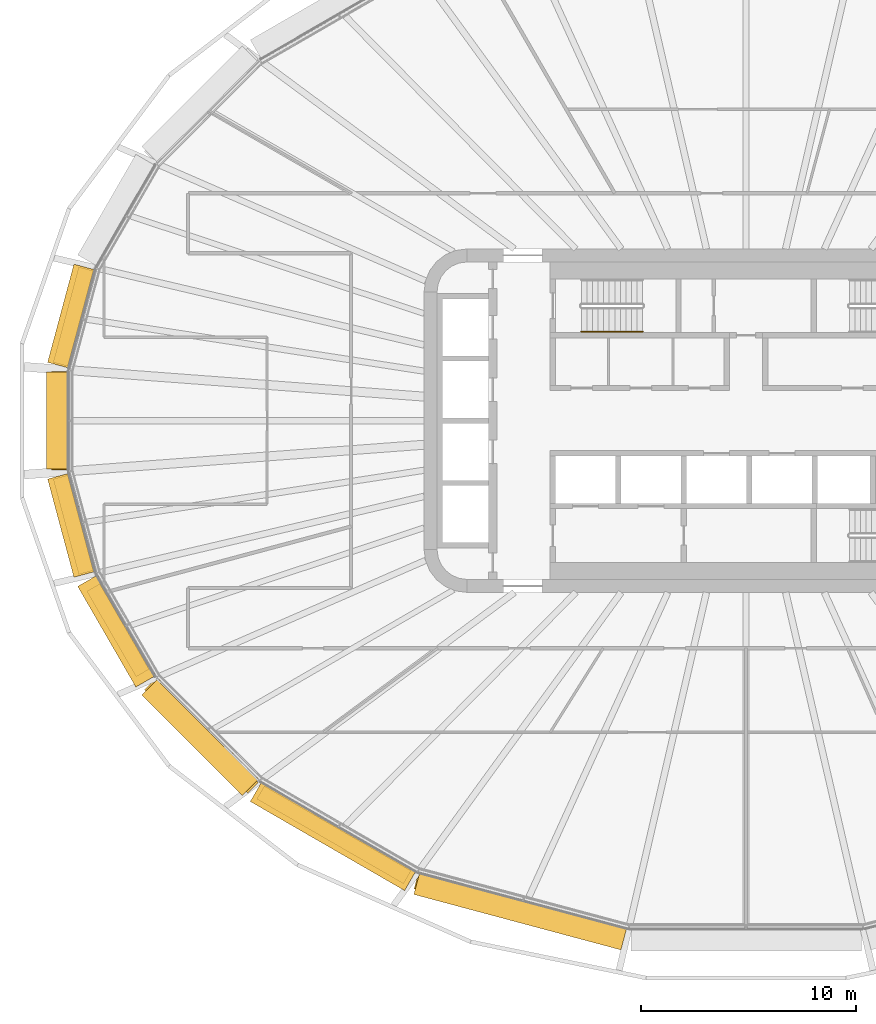
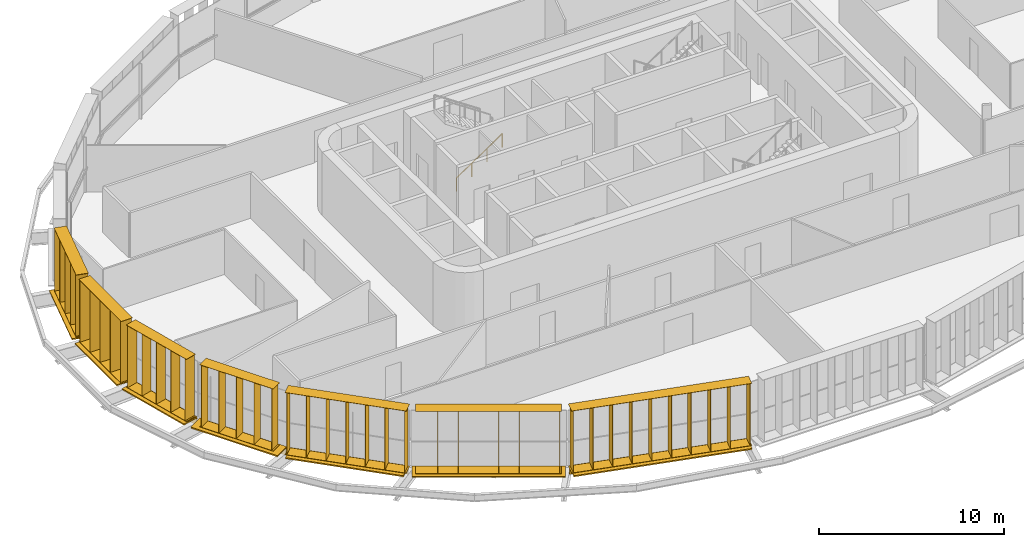
# One storey, part 20 of 25: 14 shading devices, 1 railing.
"""IFC4 building model written with IfcOpenShell, lengths in metres."""

from ifc_helpers import new_model, si_unit, direction, frame, origin, origin_2d, place, context, subcontext, project, spatial, rectangle, circle, extrude, material, type_object, element, save


model = new_model("IFC4")

# Units and contexts
model_context = context("Model", 3, precision=1e-05, world=origin(), true_north=direction((0.0, 1.0)))
body_context = subcontext(model_context, "Body", "Model", "MODEL_VIEW")
ifc_project = project(units=[si_unit("LENGTHUNIT", "METRE"), si_unit("AREAUNIT", "SQUARE_METRE"), si_unit("VOLUMEUNIT", "CUBIC_METRE"), si_unit("PLANEANGLEUNIT", "RADIAN"), si_unit("MASSUNIT", "GRAM", prefix="KILO")], contexts=[model_context])

# Site, building, storey
site_placement = place(None, origin())
site = spatial("IfcSite", under=ifc_project, at=site_placement, CompositionType="ELEMENT")
building_placement = place(site_placement, origin())
building = spatial("IfcBuilding", under=site, at=building_placement, Name="Sahrelin Media Tower", CompositionType="ELEMENT")
storey_placement = place(building_placement, frame((0.0, 0.0, 139.800048828125)))
storey = spatial("IfcBuildingStorey", under=building, at=storey_placement, Name="L28", CompositionType="ELEMENT", Elevation=139.800048828125)

# Shading devices
ifc_material_1 = material(Name="Champagne anodised aluminium 6063-T6", Category="aluminium")
shading_device_type_1 = type_object("IfcShadingDeviceType", Name="Fin cassette", PredefinedType="USERDEFINED", material=ifc_material_1)
placement_1 = place(storey_placement, frame((-30.940185546875, 4.7412109375, 0.0), z_axis=(0.0, 0.0, 1.0), x_axis=(0.258807731996, 0.965928857556, 0.0)))
element("IfcShadingDevice", 1, at=placement_1, inside=storey, type_object=shading_device_type_1, Name="L28:FIN:L28-11", ObjectType="FIN", PredefinedType="USERDEFINED", context=body_context, shape_type="SweptSolid", body=[
    extrude(rectangle(XDim=4.60009765625, YDim=0.699951171875, at=origin_2d()), frame((0.0, 0.419921875, 0.0)), (0.0, 0.0, 1.0), 0.02001953125),
    extrude(rectangle(XDim=4.60009765625, YDim=0.699951171875, at=origin_2d()), frame((0.0, 0.419921875, 4.10009765625)), (0.0, 0.0, 1.0), 0.02001953125),
    extrude(rectangle(XDim=0.02001953125, YDim=0.699951171875, at=origin_2d()), frame((-2.199951171875, 0.419921875, 0.010009765625), z_axis=(0.0, 0.0, 1.0), x_axis=(1.0, 0.0, 0.0)), (0.0, 0.0, 1.0), 4.10009765625),
    extrude(rectangle(XDim=0.02001953125, YDim=0.699951171875, at=origin_2d()), frame((-1.10009765625, 0.419921875, 0.010009765625), z_axis=(0.0, 0.0, 1.0), x_axis=(1.0, 0.0, 0.0)), (0.0, 0.0, 1.0), 4.10009765625),
    extrude(rectangle(XDim=0.02001953125, YDim=0.699951171875, at=origin_2d()), frame((0.0, 0.419921875, 0.010009765625), z_axis=(0.0, 0.0, 1.0), x_axis=(1.0, 0.0, 0.0)), (0.0, 0.0, 1.0), 4.10009765625),
    extrude(rectangle(XDim=0.02001953125, YDim=0.699951171875, at=origin_2d()), frame((1.10009765625, 0.419921875, 0.010009765625), z_axis=(0.0, 0.0, 1.0), x_axis=(1.0, 0.0, 0.0)), (0.0, 0.0, 1.0), 4.10009765625),
    extrude(rectangle(XDim=0.02001953125, YDim=0.699951171875, at=origin_2d()), frame((2.199951171875, 0.419921875, 0.010009765625), z_axis=(0.0, 0.0, 1.0), x_axis=(1.0, 0.0, 0.0)), (0.0, 0.0, 1.0), 4.10009765625),
])
placement_2 = place(storey_placement, frame((-31.57861328125, 0.0, 0.0), z_axis=(0.0, 0.0, 1.0), x_axis=(0.0, 1.0, 0.0)))
element("IfcShadingDevice", 2, at=placement_2, inside=storey, type_object=shading_device_type_1, Name="L28:FIN:L28-12", ObjectType="FIN", PredefinedType="USERDEFINED", context=body_context, shape_type="SweptSolid", body=[
    extrude(rectangle(XDim=4.60009765625, YDim=0.699951171875, at=origin_2d()), frame((0.0, 0.419921875, 0.0)), (0.0, 0.0, 1.0), 0.02001953125),
    extrude(rectangle(XDim=4.60009765625, YDim=0.699951171875, at=origin_2d()), frame((0.0, 0.419921875, 4.10009765625)), (0.0, 0.0, 1.0), 0.02001953125),
    extrude(rectangle(XDim=0.02001953125, YDim=0.699951171875, at=origin_2d()), frame((-2.199951171875, 0.419921875, 0.010009765625), z_axis=(0.0, 0.0, 1.0), x_axis=(1.0, 0.0, 0.0)), (0.0, 0.0, 1.0), 4.10009765625),
    extrude(rectangle(XDim=0.02001953125, YDim=0.699951171875, at=origin_2d()), frame((-1.10009765625, 0.419921875, 0.010009765625), z_axis=(0.0, 0.0, 1.0), x_axis=(1.0, 0.0, 0.0)), (0.0, 0.0, 1.0), 4.10009765625),
    extrude(rectangle(XDim=0.02001953125, YDim=0.699951171875, at=origin_2d()), frame((0.0, 0.419921875, 0.010009765625), z_axis=(0.0, 0.0, 1.0), x_axis=(1.0, 0.0, 0.0)), (0.0, 0.0, 1.0), 4.10009765625),
    extrude(rectangle(XDim=0.02001953125, YDim=0.699951171875, at=origin_2d()), frame((1.10009765625, 0.419921875, 0.010009765625), z_axis=(0.0, 0.0, 1.0), x_axis=(1.0, 0.0, 0.0)), (0.0, 0.0, 1.0), 4.10009765625),
    extrude(rectangle(XDim=0.02001953125, YDim=0.699951171875, at=origin_2d()), frame((2.199951171875, 0.419921875, 0.010009765625), z_axis=(0.0, 0.0, 1.0), x_axis=(1.0, 0.0, 0.0)), (0.0, 0.0, 1.0), 4.10009765625),
])
placement_3 = place(storey_placement, frame((-30.940185546875, -4.7412109375, 0.0), z_axis=(0.0, 0.0, 1.0), x_axis=(-0.258807731996, 0.965928857556, 0.0)))
element("IfcShadingDevice", 3, at=placement_3, inside=storey, type_object=shading_device_type_1, Name="L28:FIN:L28-13", ObjectType="FIN", PredefinedType="USERDEFINED", context=body_context, shape_type="SweptSolid", body=[
    extrude(rectangle(XDim=4.60009765625, YDim=0.699951171875, at=origin_2d()), frame((0.0, 0.419921875, 0.0)), (0.0, 0.0, 1.0), 0.02001953125),
    extrude(rectangle(XDim=4.60009765625, YDim=0.699951171875, at=origin_2d()), frame((0.0, 0.419921875, 4.10009765625)), (0.0, 0.0, 1.0), 0.02001953125),
    extrude(rectangle(XDim=0.02001953125, YDim=0.699951171875, at=origin_2d()), frame((-2.199951171875, 0.419921875, 0.010009765625), z_axis=(0.0, 0.0, 1.0), x_axis=(1.0, 0.0, 0.0)), (0.0, 0.0, 1.0), 4.10009765625),
    extrude(rectangle(XDim=0.02001953125, YDim=0.699951171875, at=origin_2d()), frame((-1.10009765625, 0.419921875, 0.010009765625), z_axis=(0.0, 0.0, 1.0), x_axis=(1.0, 0.0, 0.0)), (0.0, 0.0, 1.0), 4.10009765625),
    extrude(rectangle(XDim=0.02001953125, YDim=0.699951171875, at=origin_2d()), frame((0.0, 0.419921875, 0.010009765625), z_axis=(0.0, 0.0, 1.0), x_axis=(1.0, 0.0, 0.0)), (0.0, 0.0, 1.0), 4.10009765625),
    extrude(rectangle(XDim=0.02001953125, YDim=0.699951171875, at=origin_2d()), frame((1.10009765625, 0.419921875, 0.010009765625), z_axis=(0.0, 0.0, 1.0), x_axis=(1.0, 0.0, 0.0)), (0.0, 0.0, 1.0), 4.10009765625),
    extrude(rectangle(XDim=0.02001953125, YDim=0.699951171875, at=origin_2d()), frame((2.199951171875, 0.419921875, 0.010009765625), z_axis=(0.0, 0.0, 1.0), x_axis=(1.0, 0.0, 0.0)), (0.0, 0.0, 1.0), 4.10009765625),
])
placement_4 = place(storey_placement, frame((-28.8984375, -9.5546875, 0.0), z_axis=(0.0, 0.0, 1.0), x_axis=(-0.500011000363, 0.866019052629, 0.0)))
element("IfcShadingDevice", 4, at=placement_4, inside=storey, type_object=shading_device_type_1, Name="L28:FIN:L28-14", ObjectType="FIN", PredefinedType="USERDEFINED", context=body_context, shape_type="SweptSolid", body=[
    extrude(rectangle(XDim=4.60009765625, YDim=0.699951171875, at=origin_2d()), frame((0.0, 0.419921875, 0.0)), (0.0, 0.0, 1.0), 0.02001953125),
    extrude(rectangle(XDim=4.60009765625, YDim=0.699951171875, at=origin_2d()), frame((0.0, 0.419921875, 4.10009765625)), (0.0, 0.0, 1.0), 0.02001953125),
    extrude(rectangle(XDim=0.02001953125, YDim=0.699951171875, at=origin_2d()), frame((-2.199951171875, 0.419921875, 0.010009765625), z_axis=(0.0, 0.0, 1.0), x_axis=(1.0, 0.0, 0.0)), (0.0, 0.0, 1.0), 4.10009765625),
    extrude(rectangle(XDim=0.02001953125, YDim=0.699951171875, at=origin_2d()), frame((-1.10009765625, 0.419921875, 0.010009765625), z_axis=(0.0, 0.0, 1.0), x_axis=(1.0, 0.0, 0.0)), (0.0, 0.0, 1.0), 4.10009765625),
    extrude(rectangle(XDim=0.02001953125, YDim=0.699951171875, at=origin_2d()), frame((0.0, 0.419921875, 0.010009765625), z_axis=(0.0, 0.0, 1.0), x_axis=(1.0, 0.0, 0.0)), (0.0, 0.0, 1.0), 4.10009765625),
    extrude(rectangle(XDim=0.02001953125, YDim=0.699951171875, at=origin_2d()), frame((1.10009765625, 0.419921875, 0.010009765625), z_axis=(0.0, 0.0, 1.0), x_axis=(1.0, 0.0, 0.0)), (0.0, 0.0, 1.0), 4.10009765625),
    extrude(rectangle(XDim=0.02001953125, YDim=0.699951171875, at=origin_2d()), frame((2.199951171875, 0.419921875, 0.010009765625), z_axis=(0.0, 0.0, 1.0), x_axis=(1.0, 0.0, 0.0)), (0.0, 0.0, 1.0), 4.10009765625),
])
placement_5 = place(storey_placement, frame((-25.08349609375, -14.396728515625, 0.0), z_axis=(0.0, 0.0, 1.0), x_axis=(-0.707106781187, 0.707106781187, 0.0)))
element("IfcShadingDevice", 5, at=placement_5, inside=storey, type_object=shading_device_type_1, Name="L28:FIN:L28-15", ObjectType="FIN", PredefinedType="USERDEFINED", context=body_context, shape_type="SweptSolid", body=[
    extrude(rectangle(XDim=6.800048828125, YDim=0.699951171875, at=origin_2d()), frame((0.0, 0.419921875, 0.0)), (0.0, 0.0, 1.0), 0.02001953125),
    extrude(rectangle(XDim=6.800048828125, YDim=0.699951171875, at=origin_2d()), frame((0.0, 0.419921875, 4.10009765625)), (0.0, 0.0, 1.0), 0.02001953125),
    extrude(rectangle(XDim=0.02001953125, YDim=0.699951171875, at=origin_2d()), frame((-3.300048828125, 0.419921875, 0.010009765625), z_axis=(0.0, 0.0, 1.0), x_axis=(1.0, 0.0, 0.0)), (0.0, 0.0, 1.0), 4.10009765625),
    extrude(rectangle(XDim=0.02001953125, YDim=0.699951171875, at=origin_2d()), frame((-2.199951171875, 0.419921875, 0.010009765625), z_axis=(0.0, 0.0, 1.0), x_axis=(1.0, 0.0, 0.0)), (0.0, 0.0, 1.0), 4.10009765625),
    extrude(rectangle(XDim=0.02001953125, YDim=0.699951171875, at=origin_2d()), frame((-1.10009765625, 0.419921875, 0.010009765625), z_axis=(0.0, 0.0, 1.0), x_axis=(1.0, 0.0, 0.0)), (0.0, 0.0, 1.0), 4.10009765625),
    extrude(rectangle(XDim=0.02001953125, YDim=0.699951171875, at=origin_2d()), frame((0.0, 0.419921875, 0.010009765625), z_axis=(0.0, 0.0, 1.0), x_axis=(1.0, 0.0, 0.0)), (0.0, 0.0, 1.0), 4.10009765625),
    extrude(rectangle(XDim=0.02001953125, YDim=0.699951171875, at=origin_2d()), frame((1.10009765625, 0.419921875, 0.010009765625), z_axis=(0.0, 0.0, 1.0), x_axis=(1.0, 0.0, 0.0)), (0.0, 0.0, 1.0), 4.10009765625),
    extrude(rectangle(XDim=0.02001953125, YDim=0.699951171875, at=origin_2d()), frame((2.199951171875, 0.419921875, 0.010009765625), z_axis=(0.0, 0.0, 1.0), x_axis=(1.0, 0.0, 0.0)), (0.0, 0.0, 1.0), 4.10009765625),
    extrude(rectangle(XDim=0.02001953125, YDim=0.699951171875, at=origin_2d()), frame((3.300048828125, 0.419921875, 0.010009765625), z_axis=(0.0, 0.0, 1.0), x_axis=(1.0, 0.0, 0.0)), (0.0, 0.0, 1.0), 4.10009765625),
])
placement_6 = place(storey_placement, frame((-18.990966796875, -18.93359375, 0.0), z_axis=(0.0, 0.0, 1.0), x_axis=(-0.866019052629, 0.500011000363, 0.0)))
element("IfcShadingDevice", 6, at=placement_6, inside=storey, type_object=shading_device_type_1, Name="L28:FIN:L28-16", ObjectType="FIN", PredefinedType="USERDEFINED", context=body_context, shape_type="SweptSolid", body=[
    extrude(rectangle(XDim=7.89990234375, YDim=0.699951171875, at=origin_2d()), frame((0.0, 0.419921875, 0.0)), (0.0, 0.0, 1.0), 0.02001953125),
    extrude(rectangle(XDim=7.89990234375, YDim=0.699951171875, at=origin_2d()), frame((0.0, 0.419921875, 4.10009765625)), (0.0, 0.0, 1.0), 0.02001953125),
    extrude(rectangle(XDim=0.02001953125, YDim=0.699951171875, at=origin_2d()), frame((-3.85009765625, 0.419921875, 0.010009765625), z_axis=(0.0, 0.0, 1.0), x_axis=(1.0, 0.0, 0.0)), (0.0, 0.0, 1.0), 4.10009765625),
    extrude(rectangle(XDim=0.02001953125, YDim=0.699951171875, at=origin_2d()), frame((-2.75, 0.419921875, 0.010009765625), z_axis=(0.0, 0.0, 1.0), x_axis=(1.0, 0.0, 0.0)), (0.0, 0.0, 1.0), 4.10009765625),
    extrude(rectangle(XDim=0.02001953125, YDim=0.699951171875, at=origin_2d()), frame((-1.64990234375, 0.419921875, 0.010009765625), z_axis=(0.0, 0.0, 1.0), x_axis=(1.0, 0.0, 0.0)), (0.0, 0.0, 1.0), 4.10009765625),
    extrude(rectangle(XDim=0.02001953125, YDim=0.699951171875, at=origin_2d()), frame((-0.550048828125, 0.419921875, 0.010009765625), z_axis=(0.0, 0.0, 1.0), x_axis=(1.0, 0.0, 0.0)), (0.0, 0.0, 1.0), 4.10009765625),
    extrude(rectangle(XDim=0.02001953125, YDim=0.699951171875, at=origin_2d()), frame((0.550048828125, 0.419921875, 0.010009765625), z_axis=(0.0, 0.0, 1.0), x_axis=(1.0, 0.0, 0.0)), (0.0, 0.0, 1.0), 4.10009765625),
    extrude(rectangle(XDim=0.02001953125, YDim=0.699951171875, at=origin_2d()), frame((1.64990234375, 0.419921875, 0.010009765625), z_axis=(0.0, 0.0, 1.0), x_axis=(1.0, 0.0, 0.0)), (0.0, 0.0, 1.0), 4.10009765625),
    extrude(rectangle(XDim=0.02001953125, YDim=0.699951171875, at=origin_2d()), frame((2.75, 0.419921875, 0.010009765625), z_axis=(0.0, 0.0, 1.0), x_axis=(1.0, 0.0, 0.0)), (0.0, 0.0, 1.0), 4.10009765625),
    extrude(rectangle(XDim=0.02001953125, YDim=0.699951171875, at=origin_2d()), frame((3.85009765625, 0.419921875, 0.010009765625), z_axis=(0.0, 0.0, 1.0), x_axis=(1.0, 0.0, 0.0)), (0.0, 0.0, 1.0), 4.10009765625),
])
placement_7 = place(storey_placement, frame((-10.389404296875, -22.377197265625, 0.0), z_axis=(0.0, 0.0, 1.0), x_axis=(-0.965928857556, 0.258807731996, 0.0)))
element("IfcShadingDevice", 7, at=placement_7, inside=storey, type_object=shading_device_type_1, Name="L28:FIN:L28-17", ObjectType="FIN", PredefinedType="USERDEFINED", context=body_context, shape_type="SweptSolid", body=[
    extrude(rectangle(XDim=10.10009765625, YDim=0.699951171875, at=origin_2d()), frame((0.0, 0.419921875, 0.0)), (0.0, 0.0, 1.0), 0.02001953125),
    extrude(rectangle(XDim=10.10009765625, YDim=0.699951171875, at=origin_2d()), frame((0.0, 0.419921875, 4.10009765625)), (0.0, 0.0, 1.0), 0.02001953125),
    extrude(rectangle(XDim=0.02001953125, YDim=0.699951171875, at=origin_2d()), frame((-4.949951171875, 0.419921875, 0.010009765625), z_axis=(0.0, 0.0, 1.0), x_axis=(1.0, 0.0, 0.0)), (0.0, 0.0, 1.0), 4.10009765625),
    extrude(rectangle(XDim=0.02001953125, YDim=0.699951171875, at=origin_2d()), frame((-3.85009765625, 0.419921875, 0.010009765625), z_axis=(0.0, 0.0, 1.0), x_axis=(1.0, 0.0, 0.0)), (0.0, 0.0, 1.0), 4.10009765625),
    extrude(rectangle(XDim=0.02001953125, YDim=0.699951171875, at=origin_2d()), frame((-2.75, 0.419921875, 0.010009765625), z_axis=(0.0, 0.0, 1.0), x_axis=(1.0, 0.0, 0.0)), (0.0, 0.0, 1.0), 4.10009765625),
    extrude(rectangle(XDim=0.02001953125, YDim=0.699951171875, at=origin_2d()), frame((-1.64990234375, 0.419921875, 0.010009765625), z_axis=(0.0, 0.0, 1.0), x_axis=(1.0, 0.0, 0.0)), (0.0, 0.0, 1.0), 4.10009765625),
    extrude(rectangle(XDim=0.02001953125, YDim=0.699951171875, at=origin_2d()), frame((-0.550048828125, 0.419921875, 0.010009765625), z_axis=(0.0, 0.0, 1.0), x_axis=(1.0, 0.0, 0.0)), (0.0, 0.0, 1.0), 4.10009765625),
    extrude(rectangle(XDim=0.02001953125, YDim=0.699951171875, at=origin_2d()), frame((0.550048828125, 0.419921875, 0.010009765625), z_axis=(0.0, 0.0, 1.0), x_axis=(1.0, 0.0, 0.0)), (0.0, 0.0, 1.0), 4.10009765625),
    extrude(rectangle(XDim=0.02001953125, YDim=0.699951171875, at=origin_2d()), frame((1.64990234375, 0.419921875, 0.010009765625), z_axis=(0.0, 0.0, 1.0), x_axis=(1.0, 0.0, 0.0)), (0.0, 0.0, 1.0), 4.10009765625),
    extrude(rectangle(XDim=0.02001953125, YDim=0.699951171875, at=origin_2d()), frame((2.75, 0.419921875, 0.010009765625), z_axis=(0.0, 0.0, 1.0), x_axis=(1.0, 0.0, 0.0)), (0.0, 0.0, 1.0), 4.10009765625),
    extrude(rectangle(XDim=0.02001953125, YDim=0.699951171875, at=origin_2d()), frame((3.85009765625, 0.419921875, 0.010009765625), z_axis=(0.0, 0.0, 1.0), x_axis=(1.0, 0.0, 0.0)), (0.0, 0.0, 1.0), 4.10009765625),
    extrude(rectangle(XDim=0.02001953125, YDim=0.699951171875, at=origin_2d()), frame((4.949951171875, 0.419921875, 0.010009765625), z_axis=(0.0, 0.0, 1.0), x_axis=(1.0, 0.0, 0.0)), (0.0, 0.0, 1.0), 4.10009765625),
])

# Railing
ifc_material_2 = material(Name="Steel S355", Category="steel")
railing_type = type_object("IfcRailingType", Name="Stair handrail 900", PredefinedType="HANDRAIL", material=ifc_material_2)
railing_placement = place(storey_placement, frame((-7.675048828125, 4.14990234375, 0.175048828125)))
element("IfcRailing", 8, at=railing_placement, inside=storey, type_object=railing_type, Name="L28 ST1 stair handrail 1", PredefinedType="HANDRAIL", context=body_context, shape_type="SweptSolid", body=[
    extrude(circle(Radius=0.02392578125, at=origin_2d()), frame((0.0, 0.0, 0.8759765625), z_axis=(0.829623704247, 0.0, 0.558322943601), x_axis=(0.0, 1.0, 0.0)), (0.0, 0.0, 1.0), 3.447509765625),
    extrude(circle(Radius=0.02099609375, at=origin_2d()), origin(), (0.0, 0.0, 1.0), 0.851806640625),
    extrude(circle(Radius=0.02099609375, at=origin_2d()), frame((0.953369140625, 0.0, 0.6416015625)), (0.0, 0.0, 1.0), 0.851806640625),
    extrude(circle(Radius=0.02099609375, at=origin_2d()), frame((1.90673828125, 0.0, 1.283203125)), (0.0, 0.0, 1.0), 0.851806640625),
    extrude(circle(Radius=0.02099609375, at=origin_2d()), frame((2.860107421875, 0.0, 1.9248046875)), (0.0, 0.0, 1.0), 0.851806640625),
])

# Shading devices
shading_device_type_2 = type_object("IfcShadingDeviceType", Name="Sunshade band", PredefinedType="USERDEFINED", material=ifc_material_1)
element("IfcShadingDevice", 9, at=placement_1, inside=storey, type_object=shading_device_type_2, Name="L28:SUN:L28-11", ObjectType="SUNSHADE", PredefinedType="USERDEFINED", context=body_context, shape_type="SweptSolid", body=[
    extrude(rectangle(XDim=4.7333984375, YDim=0.050048828125, at=origin_2d()), frame((0.0, 0.044921875, -0.55126953125)), (0.0, 0.0, 1.0), 0.471435546875),
    extrude(rectangle(XDim=4.7333984375, YDim=1.0, at=origin_2d()), frame((0.0, 0.52001953125, -0.080078125)), (0.0, 0.0, 1.0), 0.080078125),
    extrude(rectangle(XDim=0.10009765625, YDim=0.074951171875, at=origin_2d()), frame((-2.2666015625, -0.017578125, -0.47021484375)), (0.0, 0.0, 1.0), 0.300048828125),
    extrude(rectangle(XDim=0.10009765625, YDim=0.074951171875, at=origin_2d()), frame((-0.755615234375, -0.017578125, -0.47021484375)), (0.0, 0.0, 1.0), 0.300048828125),
    extrude(rectangle(XDim=0.10009765625, YDim=0.074951171875, at=origin_2d()), frame((0.755615234375, -0.017578125, -0.47021484375)), (0.0, 0.0, 1.0), 0.300048828125),
    extrude(rectangle(XDim=0.10009765625, YDim=0.074951171875, at=origin_2d()), frame((2.2666015625, -0.017578125, -0.47021484375)), (0.0, 0.0, 1.0), 0.300048828125),
])
element("IfcShadingDevice", 10, at=placement_2, inside=storey, type_object=shading_device_type_2, Name="L28:SUN:L28-12", ObjectType="SUNSHADE", PredefinedType="USERDEFINED", context=body_context, shape_type="SweptSolid", body=[
    extrude(rectangle(XDim=4.51708984375, YDim=0.050048828125, at=origin_2d()), frame((0.0, 0.044921875, -0.55126953125)), (0.0, 0.0, 1.0), 0.471435546875),
    extrude(rectangle(XDim=4.51708984375, YDim=1.0, at=origin_2d()), frame((0.0, 0.52001953125, -0.080078125)), (0.0, 0.0, 1.0), 0.080078125),
    extrude(rectangle(XDim=0.10009765625, YDim=0.074951171875, at=origin_2d()), frame((-2.158447265625, -0.017578125, -0.47021484375)), (0.0, 0.0, 1.0), 0.300048828125),
    extrude(rectangle(XDim=0.10009765625, YDim=0.074951171875, at=origin_2d()), frame((-0.719482421875, -0.017578125, -0.47021484375)), (0.0, 0.0, 1.0), 0.300048828125),
    extrude(rectangle(XDim=0.10009765625, YDim=0.074951171875, at=origin_2d()), frame((0.719482421875, -0.017578125, -0.47021484375)), (0.0, 0.0, 1.0), 0.300048828125),
    extrude(rectangle(XDim=0.10009765625, YDim=0.074951171875, at=origin_2d()), frame((2.158447265625, -0.017578125, -0.47021484375)), (0.0, 0.0, 1.0), 0.300048828125),
])
element("IfcShadingDevice", 11, at=placement_3, inside=storey, type_object=shading_device_type_2, Name="L28:SUN:L28-13", ObjectType="SUNSHADE", PredefinedType="USERDEFINED", context=body_context, shape_type="SweptSolid", body=[
    extrude(rectangle(XDim=4.7333984375, YDim=0.050048828125, at=origin_2d()), frame((0.0, 0.044921875, -0.55126953125)), (0.0, 0.0, 1.0), 0.471435546875),
    extrude(rectangle(XDim=4.7333984375, YDim=1.0, at=origin_2d()), frame((0.0, 0.52001953125, -0.080078125)), (0.0, 0.0, 1.0), 0.080078125),
    extrude(rectangle(XDim=0.10009765625, YDim=0.074951171875, at=origin_2d()), frame((-2.2666015625, -0.017578125, -0.47021484375)), (0.0, 0.0, 1.0), 0.300048828125),
    extrude(rectangle(XDim=0.10009765625, YDim=0.074951171875, at=origin_2d()), frame((-0.755615234375, -0.017578125, -0.47021484375)), (0.0, 0.0, 1.0), 0.300048828125),
    extrude(rectangle(XDim=0.10009765625, YDim=0.074951171875, at=origin_2d()), frame((0.755615234375, -0.017578125, -0.47021484375)), (0.0, 0.0, 1.0), 0.300048828125),
    extrude(rectangle(XDim=0.10009765625, YDim=0.074951171875, at=origin_2d()), frame((2.2666015625, -0.017578125, -0.47021484375)), (0.0, 0.0, 1.0), 0.300048828125),
])
element("IfcShadingDevice", 12, at=placement_4, inside=storey, type_object=shading_device_type_2, Name="L28:SUN:L28-14", ObjectType="SUNSHADE", PredefinedType="USERDEFINED", context=body_context, shape_type="SweptSolid", body=[
    extrude(rectangle(XDim=5.413818359375, YDim=0.050048828125, at=origin_2d()), frame((0.0, 0.044921875, -0.55126953125)), (0.0, 0.0, 1.0), 0.471435546875),
    extrude(rectangle(XDim=5.413818359375, YDim=1.0, at=origin_2d()), frame((0.0, 0.52001953125, -0.080078125)), (0.0, 0.0, 1.0), 0.080078125),
    extrude(rectangle(XDim=0.10009765625, YDim=0.074951171875, at=origin_2d()), frame((-2.606689453125, -0.017578125, -0.47021484375)), (0.0, 0.0, 1.0), 0.300048828125),
    extrude(rectangle(XDim=0.10009765625, YDim=0.074951171875, at=origin_2d()), frame((-0.868896484375, -0.017578125, -0.47021484375)), (0.0, 0.0, 1.0), 0.300048828125),
    extrude(rectangle(XDim=0.10009765625, YDim=0.074951171875, at=origin_2d()), frame((0.868896484375, -0.017578125, -0.47021484375)), (0.0, 0.0, 1.0), 0.300048828125),
    extrude(rectangle(XDim=0.10009765625, YDim=0.074951171875, at=origin_2d()), frame((2.606689453125, -0.017578125, -0.47021484375)), (0.0, 0.0, 1.0), 0.300048828125),
])
element("IfcShadingDevice", 13, at=placement_5, inside=storey, type_object=shading_device_type_2, Name="L28:SUN:L28-15", ObjectType="SUNSHADE", PredefinedType="USERDEFINED", context=body_context, shape_type="SweptSolid", body=[
    extrude(rectangle(XDim=6.62060546875, YDim=0.050048828125, at=origin_2d()), frame((0.0, 0.044921875, -0.55126953125)), (0.0, 0.0, 1.0), 0.471435546875),
    extrude(rectangle(XDim=6.62060546875, YDim=1.0, at=origin_2d()), frame((0.0, 0.52001953125, -0.080078125)), (0.0, 0.0, 1.0), 0.080078125),
    extrude(rectangle(XDim=0.10009765625, YDim=0.074951171875, at=origin_2d()), frame((-3.210205078125, -0.017578125, -0.47021484375)), (0.0, 0.0, 1.0), 0.300048828125),
    extrude(rectangle(XDim=0.10009765625, YDim=0.074951171875, at=origin_2d()), frame((-1.605224609375, -0.017578125, -0.47021484375)), (0.0, 0.0, 1.0), 0.300048828125),
    extrude(rectangle(XDim=0.10009765625, YDim=0.074951171875, at=origin_2d()), frame((0.0, -0.017578125, -0.47021484375)), (0.0, 0.0, 1.0), 0.300048828125),
    extrude(rectangle(XDim=0.10009765625, YDim=0.074951171875, at=origin_2d()), frame((1.605224609375, -0.017578125, -0.47021484375)), (0.0, 0.0, 1.0), 0.300048828125),
    extrude(rectangle(XDim=0.10009765625, YDim=0.074951171875, at=origin_2d()), frame((3.210205078125, -0.017578125, -0.47021484375)), (0.0, 0.0, 1.0), 0.300048828125),
])
element("IfcShadingDevice", 14, at=placement_6, inside=storey, type_object=shading_device_type_2, Name="L28:SUN:L28-16", ObjectType="SUNSHADE", PredefinedType="USERDEFINED", context=body_context, shape_type="SweptSolid", body=[
    extrude(rectangle(XDim=8.30126953125, YDim=0.050048828125, at=origin_2d()), frame((0.0, 0.044921875, -0.55126953125)), (0.0, 0.0, 1.0), 0.471435546875),
    extrude(rectangle(XDim=8.30126953125, YDim=1.0, at=origin_2d()), frame((0.0, 0.52001953125, -0.080078125)), (0.0, 0.0, 1.0), 0.080078125),
    extrude(rectangle(XDim=0.10009765625, YDim=0.074951171875, at=origin_2d()), frame((-4.050537109375, -0.017578125, -0.47021484375)), (0.0, 0.0, 1.0), 0.300048828125),
    extrude(rectangle(XDim=0.10009765625, YDim=0.074951171875, at=origin_2d()), frame((-2.430419921875, -0.017578125, -0.47021484375)), (0.0, 0.0, 1.0), 0.300048828125),
    extrude(rectangle(XDim=0.10009765625, YDim=0.074951171875, at=origin_2d()), frame((-0.81005859375, -0.017578125, -0.47021484375)), (0.0, 0.0, 1.0), 0.300048828125),
    extrude(rectangle(XDim=0.10009765625, YDim=0.074951171875, at=origin_2d()), frame((0.81005859375, -0.017578125, -0.47021484375)), (0.0, 0.0, 1.0), 0.300048828125),
    extrude(rectangle(XDim=0.10009765625, YDim=0.074951171875, at=origin_2d()), frame((2.430419921875, -0.017578125, -0.47021484375)), (0.0, 0.0, 1.0), 0.300048828125),
    extrude(rectangle(XDim=0.10009765625, YDim=0.074951171875, at=origin_2d()), frame((4.050537109375, -0.017578125, -0.47021484375)), (0.0, 0.0, 1.0), 0.300048828125),
])
element("IfcShadingDevice", 15, at=placement_7, inside=storey, type_object=shading_device_type_2, Name="L28:SUN:L28-17", ObjectType="SUNSHADE", PredefinedType="USERDEFINED", context=body_context, shape_type="SweptSolid", body=[
    extrude(rectangle(XDim=9.98779296875, YDim=0.050048828125, at=origin_2d()), frame((0.0, 0.044921875, -0.55126953125)), (0.0, 0.0, 1.0), 0.471435546875),
    extrude(rectangle(XDim=9.98779296875, YDim=1.0, at=origin_2d()), frame((0.0, 0.52001953125, -0.080078125)), (0.0, 0.0, 1.0), 0.080078125),
    extrude(rectangle(XDim=0.10009765625, YDim=0.074951171875, at=origin_2d()), frame((-4.893798828125, -0.017578125, -0.47021484375)), (0.0, 0.0, 1.0), 0.300048828125),
    extrude(rectangle(XDim=0.10009765625, YDim=0.074951171875, at=origin_2d()), frame((-2.936279296875, -0.017578125, -0.47021484375)), (0.0, 0.0, 1.0), 0.300048828125),
    extrude(rectangle(XDim=0.10009765625, YDim=0.074951171875, at=origin_2d()), frame((-0.978759765625, -0.017578125, -0.47021484375)), (0.0, 0.0, 1.0), 0.300048828125),
    extrude(rectangle(XDim=0.10009765625, YDim=0.074951171875, at=origin_2d()), frame((0.978759765625, -0.017578125, -0.47021484375)), (0.0, 0.0, 1.0), 0.300048828125),
    extrude(rectangle(XDim=0.10009765625, YDim=0.074951171875, at=origin_2d()), frame((2.936279296875, -0.017578125, -0.47021484375)), (0.0, 0.0, 1.0), 0.300048828125),
    extrude(rectangle(XDim=0.10009765625, YDim=0.074951171875, at=origin_2d()), frame((4.893798828125, -0.017578125, -0.47021484375)), (0.0, 0.0, 1.0), 0.300048828125),
])

save(model, "model.ifc")
